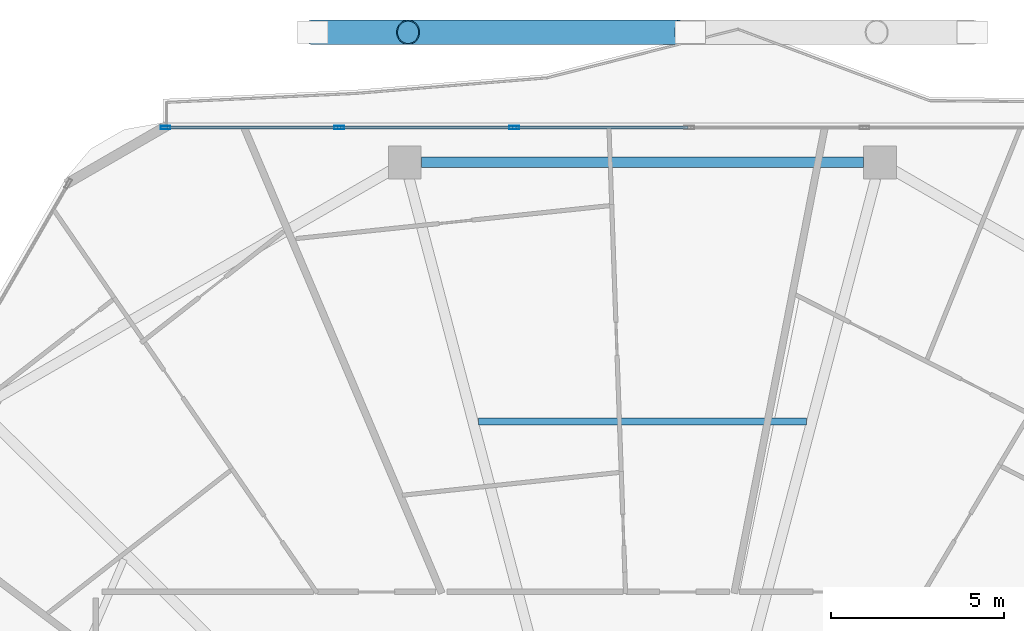
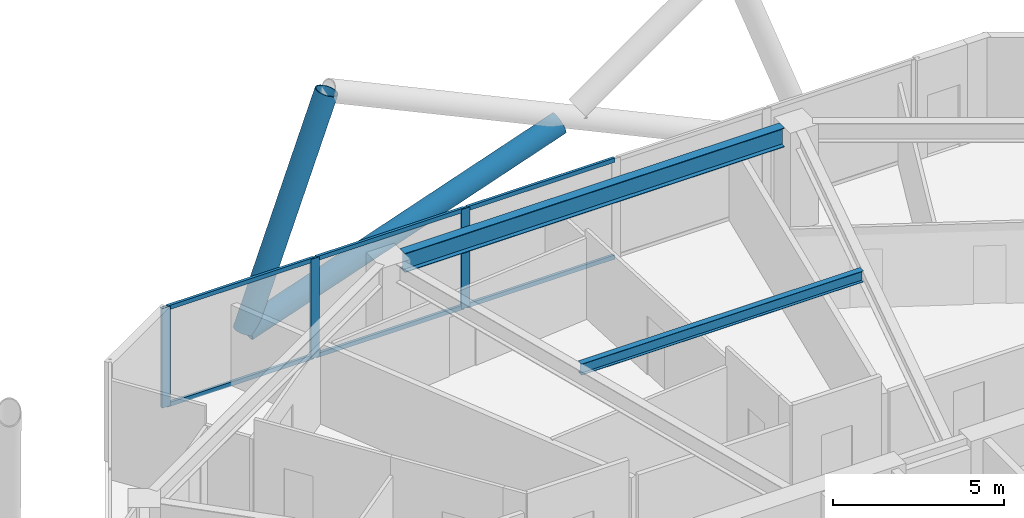
# One storey, part 14 of 28: 11 members, 2 beams, 1 element without a shape of its own.
"""IFC4 building model written with IfcOpenShell, lengths in metres."""

from ifc_helpers import new_model, si_unit, direction, frame, origin, origin_2d, place, context, subcontext, project, spatial, hollow_rectangle, hollow_circle, i_section, extrude, material, material_profile, profile_set, type_object, element, aggregate, save


model = new_model("IFC4")

# Units and contexts
model_context = context("Model", 3, precision=1e-05, world=origin(), true_north=direction((0.0, 1.0)))
body_context = subcontext(model_context, "Body", "Model", "MODEL_VIEW")
ifc_project = project(units=[si_unit("LENGTHUNIT", "METRE"), si_unit("AREAUNIT", "SQUARE_METRE"), si_unit("VOLUMEUNIT", "CUBIC_METRE"), si_unit("PLANEANGLEUNIT", "RADIAN"), si_unit("MASSUNIT", "GRAM", prefix="KILO")], contexts=[model_context])

# Site, building, storey
site_placement = place(None, origin())
site = spatial("IfcSite", under=ifc_project, at=site_placement, CompositionType="ELEMENT")
building_placement = place(site_placement, origin())
building = spatial("IfcBuilding", under=site, at=building_placement, Name="Zuhravey Tower", CompositionType="ELEMENT")
storey_placement = place(building_placement, frame((0.0, 0.0, 207.39990234375)))
storey = spatial("IfcBuildingStorey", under=building, at=storey_placement, Name="L52", CompositionType="ELEMENT", Elevation=207.39990234375)

# Curtain wall, members
ifc_material_1 = material(Name="Thermally broken anodised aluminium", Category="aluminium")
curtain_wall_type = type_object("IfcCurtainWallType", Name="Zone 1-2 Residential Curtain Wall CW3", PredefinedType="NOTDEFINED", material=ifc_material_1)
curtain_wall_placement = place(storey_placement, origin())
curtain_wall = element("IfcCurtainWall", 1, at=curtain_wall_placement, inside=storey, type_object=curtain_wall_type, Name="L52 CW3 CW-L52-F2-1", PredefinedType="NOTDEFINED")
ifc_material_2 = material(Name="Anodised aluminium", Category="aluminium")
ifc_material_profile_1 = material_profile(ifc_material_2, hollow_rectangle(XDim=0.090087890625, YDim=0.284912109375, WallThickness=0.0048828125, at=origin_2d()), Name="ALU-RHS-90x285x5")
ifc_profile_set_1 = profile_set([ifc_material_profile_1], Name="Anodised aluminium")
member_type_1 = type_object("IfcMemberType", Name="Curtain-Wall Mullion 90x180", PredefinedType="MULLION", material=ifc_profile_set_1)
member_1_placement = place(storey_placement, frame((22.183837890625, 59.18310546875, 0.0), z_axis=(0.0, 0.0, 1.0), x_axis=(0.0, 1.0, 0.0)))
member_1 = element("IfcMember", 2, at=member_1_placement, type_object=member_type_1, Name="CW3 mullion 1", PredefinedType="MULLION", context=body_context, shape_type="SweptSolid", body=[
    extrude(hollow_rectangle(XDim=0.090087890625, YDim=0.284912109375, WallThickness=0.0048828125, at=origin_2d()), origin(), (0.0, 0.0, 1.0), 3.550048828125),
])
member_2_placement = place(storey_placement, frame((27.21337890625, 59.18310546875, 0.0), z_axis=(0.0, 0.0, 1.0), x_axis=(0.0, 1.0, 0.0)))
member_2 = element("IfcMember", 3, at=member_2_placement, type_object=member_type_1, Name="CW3 mullion 2", PredefinedType="MULLION", context=body_context, shape_type="SweptSolid", body=[
    extrude(hollow_rectangle(XDim=0.090087890625, YDim=0.284912109375, WallThickness=0.0048828125, at=origin_2d()), origin(), (0.0, 0.0, 1.0), 3.550048828125),
])
member_3_placement = place(storey_placement, frame((32.287841796875, 59.18310546875, 0.0), z_axis=(0.0, 0.0, 1.0), x_axis=(0.0, 1.0, 0.0)))
member_3 = element("IfcMember", 4, at=member_3_placement, type_object=member_type_1, Name="CW3 mullion 3", PredefinedType="MULLION", context=body_context, shape_type="SweptSolid", body=[
    extrude(hollow_rectangle(XDim=0.090087890625, YDim=0.284912109375, WallThickness=0.0048828125, at=origin_2d()), origin(), (0.0, 0.0, 1.0), 3.550048828125),
])
ifc_material_profile_2 = material_profile(ifc_material_2, hollow_rectangle(XDim=0.090087890625, YDim=0.14990234375, WallThickness=0.0048828125, at=origin_2d()), Name="ALU-RHS-90x150x5")
ifc_profile_set_2 = profile_set([ifc_material_profile_2], Name="Anodised aluminium")
member_type_2 = type_object("IfcMemberType", Name="Curtain-Wall Transom 90x150", PredefinedType="USERDEFINED", material=ifc_profile_set_2)
member_4_placement = place(storey_placement, frame((22.22900390625, 59.18310546875, 0.045166015625), z_axis=(1.0, 0.0, 0.0), x_axis=(0.0, 1.0, 0.0)))
member_4 = element("IfcMember", 5, at=member_4_placement, type_object=member_type_2, Name="CW3 transom 1.1", ObjectType="TRANSOM", PredefinedType="USERDEFINED", context=body_context, shape_type="SweptSolid", body=[
    extrude(hollow_rectangle(XDim=0.090087890625, YDim=0.14990234375, WallThickness=0.0048828125, at=origin_2d()), origin(), (0.0, 0.0, 1.0), 4.939453125),
])
member_5_placement = place(storey_placement, frame((22.22900390625, 59.18310546875, 3.505126953125), z_axis=(1.0, 0.0, 0.0), x_axis=(0.0, 1.0, 0.0)))
member_5 = element("IfcMember", 6, at=member_5_placement, type_object=member_type_2, Name="CW3 transom 1.2", ObjectType="TRANSOM", PredefinedType="USERDEFINED", context=body_context, shape_type="SweptSolid", body=[
    extrude(hollow_rectangle(XDim=0.090087890625, YDim=0.14990234375, WallThickness=0.0048828125, at=origin_2d()), origin(), (0.0, 0.0, 1.0), 4.939453125),
])
member_6_placement = place(storey_placement, frame((27.25830078125, 59.18310546875, 0.045166015625), z_axis=(1.0, 0.0, 0.0), x_axis=(0.0, 1.0, 0.0)))
member_6 = element("IfcMember", 7, at=member_6_placement, type_object=member_type_2, Name="CW3 transom 2.1", ObjectType="TRANSOM", PredefinedType="USERDEFINED", context=body_context, shape_type="SweptSolid", body=[
    extrude(hollow_rectangle(XDim=0.090087890625, YDim=0.14990234375, WallThickness=0.0048828125, at=origin_2d()), origin(), (0.0, 0.0, 1.0), 4.984375),
])
member_7_placement = place(storey_placement, frame((27.25830078125, 59.18310546875, 3.505126953125), z_axis=(1.0, 0.0, 0.0), x_axis=(0.0, 1.0, 0.0)))
member_7 = element("IfcMember", 8, at=member_7_placement, type_object=member_type_2, Name="CW3 transom 2.2", ObjectType="TRANSOM", PredefinedType="USERDEFINED", context=body_context, shape_type="SweptSolid", body=[
    extrude(hollow_rectangle(XDim=0.090087890625, YDim=0.14990234375, WallThickness=0.0048828125, at=origin_2d()), origin(), (0.0, 0.0, 1.0), 4.984375),
])
member_8_placement = place(storey_placement, frame((32.332763671875, 59.18310546875, 0.045166015625), z_axis=(1.0, 0.0, 0.0), x_axis=(0.0, 1.0, 0.0)))
member_8 = element("IfcMember", 9, at=member_8_placement, type_object=member_type_2, Name="CW3 transom 3.1", ObjectType="TRANSOM", PredefinedType="USERDEFINED", context=body_context, shape_type="SweptSolid", body=[
    extrude(hollow_rectangle(XDim=0.090087890625, YDim=0.14990234375, WallThickness=0.0048828125, at=origin_2d()), origin(), (0.0, 0.0, 1.0), 4.984375),
])
member_9_placement = place(storey_placement, frame((32.332763671875, 59.18310546875, 3.505126953125), z_axis=(1.0, 0.0, 0.0), x_axis=(0.0, 1.0, 0.0)))
member_9 = element("IfcMember", 10, at=member_9_placement, type_object=member_type_2, Name="CW3 transom 3.2", ObjectType="TRANSOM", PredefinedType="USERDEFINED", context=body_context, shape_type="SweptSolid", body=[
    extrude(hollow_rectangle(XDim=0.090087890625, YDim=0.14990234375, WallThickness=0.0048828125, at=origin_2d()), origin(), (0.0, 0.0, 1.0), 4.984375),
])
aggregate(curtain_wall, [member_1, member_2, member_3, member_4, member_5, member_6, member_7, member_8, member_9])

# Members
ifc_material_3 = material(Name="Steel SM460", Category="steel")
ifc_material_profile_3 = material_profile(ifc_material_3, hollow_circle(Radius=0.355712890625, WallThickness=0.031982421875, at=origin_2d()), Name="CHS-711.2x32")
ifc_profile_set_3 = profile_set([ifc_material_profile_3], Name="Steel SM460")
member_type_3 = type_object("IfcMemberType", Name="Exoskeleton Zone 2 Diagrid CHS711x32", PredefinedType="BRACE", material=ifc_profile_set_3)
member_10_placement = place(storey_placement, frame((26.452392578125, 61.943115234375, -0.44384765625), z_axis=(0.342858392965, 0.0, 0.939387099323), x_axis=(0.0, 1.0, 0.0)))
element("IfcMember", 11, at=member_10_placement, inside=storey, type_object=member_type_3, Name="L52 Face 2 Diagrid Brace 4", PredefinedType="BRACE", context=body_context, shape_type="SweptSolid", body=[
    extrude(hollow_circle(Radius=0.355712890625, WallThickness=0.031982421875, at=origin_2d()), origin(), (0.0, 0.0, 1.0), 8.0478515625),
])
member_11_placement = place(storey_placement, frame((26.48974609375, 61.943115234375, -0.4482421875), z_axis=(0.944660330241, 0.0, 0.328050088353), x_axis=(0.0, 1.0, 0.0)))
element("IfcMember", 12, at=member_11_placement, inside=storey, type_object=member_type_3, Name="L52 Face 2 Split Diagrid Brace 3A", PredefinedType="BRACE", context=body_context, shape_type="SweptSolid", body=[
    extrude(hollow_circle(Radius=0.355712890625, WallThickness=0.031982421875, at=origin_2d()), origin(), (0.0, 0.0, 1.0), 11.18994140625),
])

# Beams
ifc_material_4 = material(Name="Steel SM355", Category="steel")
ifc_material_profile_4 = material_profile(ifc_material_4, i_section(OverallWidth=0.300048828125, OverallDepth=0.679931640625, WebThickness=0.012939453125, FlangeThickness=0.02197265625, at=origin_2d()), Name="H-680x300x13x22")
ifc_profile_set_4 = profile_set([ifc_material_profile_4], Name="Steel SM355")
beam_type_1 = type_object("IfcBeamType", Name="Perimeter Ring Beam H680x300", PredefinedType="BEAM", material=ifc_profile_set_4)
beam_1_placement = place(storey_placement, frame((42.404052734375, 58.173095703125, 3.210205078125), z_axis=(-1.0, 0.0, 0.0), x_axis=(0.0, -1.0, 0.0)))
element("IfcBeam", 13, at=beam_1_placement, inside=storey, type_object=beam_type_1, Name="L52 PB2 BM-L52-PB-03", PredefinedType="BEAM", context=body_context, shape_type="SweptSolid", body=[
    extrude(i_section(OverallWidth=0.300048828125, OverallDepth=0.679931640625, WebThickness=0.012939453125, FlangeThickness=0.02197265625, at=origin_2d()), origin(), (0.0, 0.0, 1.0), 12.80810546875),
])
ifc_material_profile_5 = material_profile(ifc_material_4, i_section(OverallWidth=0.199951171875, OverallDepth=0.39990234375, WebThickness=0.008056640625, FlangeThickness=0.012939453125, at=origin_2d()), Name="H-400x200x8x13")
ifc_profile_set_5 = profile_set([ifc_material_profile_5], Name="Steel SM355")
beam_type_2 = type_object("IfcBeamType", Name="Secondary Floor Joist H400x200", PredefinedType="JOIST", material=ifc_profile_set_5)
beam_2_placement = place(storey_placement, frame((40.754150390625, 50.665771484375, 3.35009765625), z_axis=(-1.0, 0.0, 0.0), x_axis=(0.0, -1.0, 0.0)))
element("IfcBeam", 14, at=beam_2_placement, inside=storey, type_object=beam_type_2, Name="L52 SJ2 BM-L52-SJ-03-1", PredefinedType="JOIST", context=body_context, shape_type="SweptSolid", body=[
    extrude(i_section(OverallWidth=0.199951171875, OverallDepth=0.39990234375, WebThickness=0.008056640625, FlangeThickness=0.012939453125, at=origin_2d()), origin(), (0.0, 0.0, 1.0), 9.50830078125),
])

save(model, "model.ifc")
